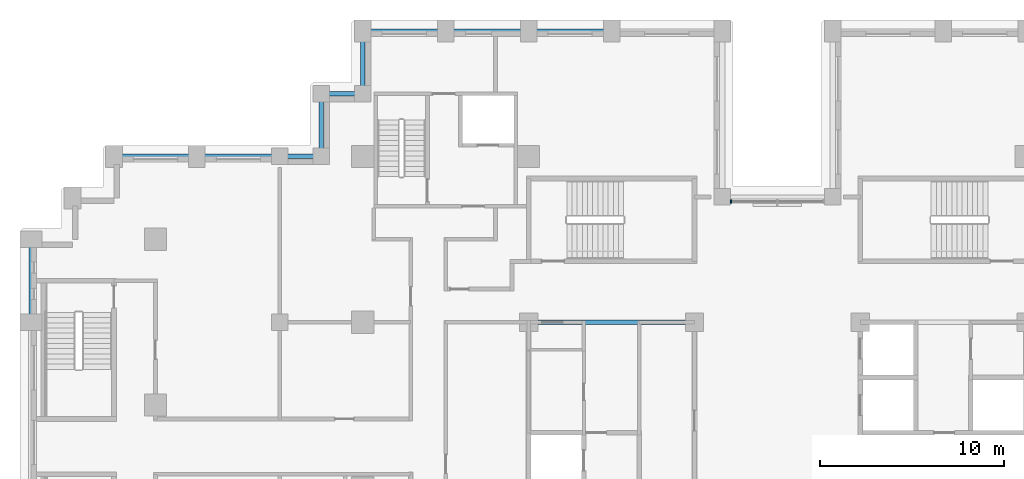
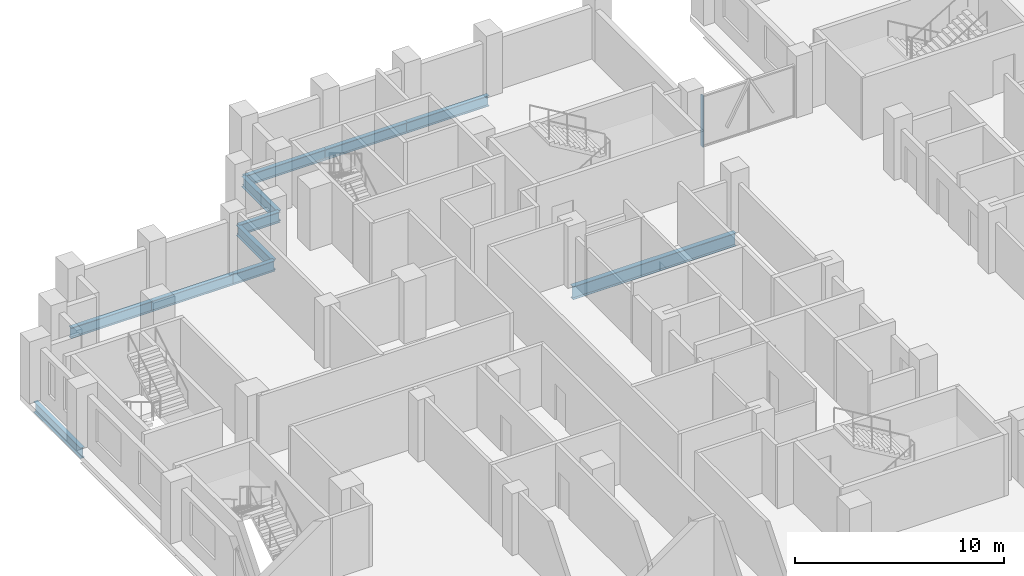
# One storey, part 3 of 16: 11 beams, 1 member, 1 element without a shape of its own.
"""IFC4 building model written with IfcOpenShell, lengths in metres."""

from ifc_helpers import new_model, si_unit, direction, frame, origin, origin_2d, place, context, subcontext, project, spatial, rectangle, i_section, extrude, material, layer, layer_set, material_profile, profile_set, type_object, element, aggregate, save


model = new_model("IFC4")

# Units and contexts
model_context = context("Model", 3, precision=1e-05, world=origin(), true_north=direction((0.0, 1.0)))
body_context = subcontext(model_context, "Body", "Model", "MODEL_VIEW")
ifc_project = project(units=[si_unit("LENGTHUNIT", "METRE"), si_unit("AREAUNIT", "SQUARE_METRE"), si_unit("VOLUMEUNIT", "CUBIC_METRE"), si_unit("PLANEANGLEUNIT", "RADIAN"), si_unit("MASSUNIT", "GRAM", prefix="KILO")], contexts=[model_context])

# Site, building, storey
site_placement = place(None, origin())
site = spatial("IfcSite", under=ifc_project, at=site_placement, CompositionType="ELEMENT")
building_placement = place(site_placement, origin())
building = spatial("IfcBuilding", under=site, at=building_placement, Name="Corbelhall Arena Tower", CompositionType="ELEMENT")
storey_placement = place(building_placement, frame((0.0, 0.0, 116.0)))
storey = spatial("IfcBuildingStorey", under=building, at=storey_placement, Name="L21", CompositionType="ELEMENT", Elevation=116.0)

# Curtain wall, member
ifc_material_1 = material(Name="Aluminium black anodised", Category="aluminium")
ifc_layer = layer(ifc_material_1, 0.199951171875)
ifc_layer_set = layer_set([ifc_layer], Name="EV-CW1 Slot back wall")
curtain_wall_type = type_object("IfcCurtainWallType", Name="EV-CW1 Slot back wall", PredefinedType="NOTDEFINED", material=ifc_layer_set)
curtain_wall_placement = place(storey_placement, origin())
curtain_wall = element("IfcCurtainWall", 1, at=curtain_wall_placement, inside=storey, type_object=curtain_wall_type, Name="Curtain wall CW1", PredefinedType="NOTDEFINED")
ifc_material_profile_1 = material_profile(ifc_material_1, rectangle(XDim=0.199951171875, YDim=0.074951171875, at=origin_2d()))
ifc_profile_set_1 = profile_set([ifc_material_profile_1], Name="Aluminium black anodised")
member_type = type_object("IfcMemberType", Name="EV-CW1-MULLION", PredefinedType="MULLION", material=ifc_profile_set_1)
member_placement = place(storey_placement, frame((-2.512451171875, 15.550048828125, 0.0), z_axis=(0.0, 0.0, 1.0), x_axis=(0.0, -1.0, 0.0)))
member = element("IfcMember", 2, at=member_placement, type_object=member_type, Name="CW1 mullion 3", PredefinedType="MULLION", context=body_context, shape_type="SweptSolid", body=[
    extrude(rectangle(XDim=0.199951171875, YDim=0.074951171875, at=origin_2d()), origin(), (0.0, 0.0, 1.0), 2.99951171875),
])
aggregate(curtain_wall, [member])

# Beams
ifc_material_2 = material(Name="Steel ASTM A992 Gr50", Category="steel")
ifc_material_profile_2 = material_profile(ifc_material_2, i_section(OverallWidth=0.2666015625, OverallDepth=0.761962890625, WebThickness=0.014404296875, FlangeThickness=0.021484375, at=origin_2d()))
ifc_profile_set_2 = profile_set([ifc_material_profile_2], Name="Steel ASTM A992 Gr50")
beam_type_1 = type_object("IfcBeamType", Name="ST-BEAM-W30x116", PredefinedType="BEAM", material=ifc_profile_set_2)
beam_1_placement = place(storey_placement, frame((-13.5, 9.0, -0.680908203125), z_axis=(1.0, 0.0, 0.0), x_axis=(0.0, 1.0, 0.0)))
element("IfcBeam", 3, at=beam_1_placement, inside=storey, type_object=beam_type_1, Name="Beam CEW 6", PredefinedType="BEAM", context=body_context, shape_type="SweptSolid", body=[
    extrude(i_section(OverallWidth=0.2666015625, OverallDepth=0.761962890625, WebThickness=0.014404296875, FlangeThickness=0.021484375, at=origin_2d()), origin(), (0.0, 0.0, 1.0), 9.0),
])
ifc_material_profile_3 = material_profile(ifc_material_2, i_section(OverallWidth=0.23046875, OverallDepth=0.6171875, WebThickness=0.01318359375, FlangeThickness=0.022216796875, at=origin_2d()))
ifc_profile_set_3 = profile_set([ifc_material_profile_3], Name="Steel ASTM A992 Gr50")
beam_type_2 = type_object("IfcBeamType", Name="ST-SPANDREL-W24x94", PredefinedType="SPANDREL", material=ifc_profile_set_3)
for number, where, z_axis, x_axis, name in (
    (4, (-40.5, 9.0, -0.608642578125), (0.0, 1.0, 0.0), (-1.0, 0.0, 0.0), "Beam SP 2"),
    (5, (-31.5, 18.0, -0.608642578125), (1.0, 0.0, 0.0), (0.0, 1.0, 0.0), "Beam SP 5"),
    (6, (-36.0, 18.0, -0.608642578125), (1.0, 0.0, 0.0), (0.0, 1.0, 0.0), "Beam SP 6"),
    (7, (-13.5, 24.800048828125, -0.608642578125), (1.0, 0.0, 0.0), (0.0, 1.0, 0.0), "Beam SP 24"),
    (8, (-18.0, 24.800048828125, -0.608642578125), (1.0, 0.0, 0.0), (0.0, 1.0, 0.0), "Beam SP 25"),
    (9, (-22.5, 24.800048828125, -0.608642578125), (1.0, 0.0, 0.0), (0.0, 1.0, 0.0), "Beam SP 26"),
):
    element("IfcBeam", number, at=place(storey_placement, frame(where, z_axis=z_axis, x_axis=x_axis)), inside=storey, type_object=beam_type_2, Name=name, PredefinedType="SPANDREL", context=body_context, shape_type="SweptSolid", body=[
        extrude(i_section(OverallWidth=0.23046875, OverallDepth=0.6171875, WebThickness=0.01318359375, FlangeThickness=0.022216796875, at=origin_2d()), origin(), (0.0, 0.0, 1.0), 4.5),
    ])
beam_2_placement = place(storey_placement, frame((-27.0, 18.0, -0.608642578125), z_axis=(1.0, 0.0, 0.0), x_axis=(0.0, 1.0, 0.0)))
element("IfcBeam", 10, at=beam_2_placement, inside=storey, type_object=beam_type_2, Name="Beam SP 37", PredefinedType="SPANDREL", context=body_context, shape_type="SweptSolid", body=[
    extrude(i_section(OverallWidth=0.23046875, OverallDepth=0.6171875, WebThickness=0.01318359375, FlangeThickness=0.022216796875, at=origin_2d()), origin(), (0.0, 0.0, 1.0), 2.25),
])
beam_3_placement = place(storey_placement, frame((-22.5, 21.39990234375, -0.608642578125), z_axis=(0.0, 1.0, 0.0), x_axis=(-1.0, 0.0, 0.0)))
element("IfcBeam", 11, at=beam_3_placement, inside=storey, type_object=beam_type_2, Name="Beam SP 46", PredefinedType="SPANDREL", context=body_context, shape_type="SweptSolid", body=[
    extrude(i_section(OverallWidth=0.23046875, OverallDepth=0.6171875, WebThickness=0.01318359375, FlangeThickness=0.022216796875, at=origin_2d()), origin(), (0.0, 0.0, 1.0), 3.400146484375),
])
beam_4_placement = place(storey_placement, frame((-24.75, 21.39990234375, -0.608642578125), z_axis=(1.0, 0.0, 0.0), x_axis=(0.0, 1.0, 0.0)))
element("IfcBeam", 12, at=beam_4_placement, inside=storey, type_object=beam_type_2, Name="Beam SP 47", PredefinedType="SPANDREL", context=body_context, shape_type="SweptSolid", body=[
    extrude(i_section(OverallWidth=0.23046875, OverallDepth=0.6171875, WebThickness=0.01318359375, FlangeThickness=0.022216796875, at=origin_2d()), origin(), (0.0, 0.0, 1.0), 2.25),
])
beam_5_placement = place(storey_placement, frame((-24.75, 18.0, -0.608642578125), z_axis=(0.0, 1.0, 0.0), x_axis=(-1.0, 0.0, 0.0)))
element("IfcBeam", 13, at=beam_5_placement, inside=storey, type_object=beam_type_2, Name="Beam SP 48", PredefinedType="SPANDREL", context=body_context, shape_type="SweptSolid", body=[
    extrude(i_section(OverallWidth=0.23046875, OverallDepth=0.6171875, WebThickness=0.01318359375, FlangeThickness=0.022216796875, at=origin_2d()), origin(), (0.0, 0.0, 1.0), 3.39990234375),
])

save(model, "model.ifc")
